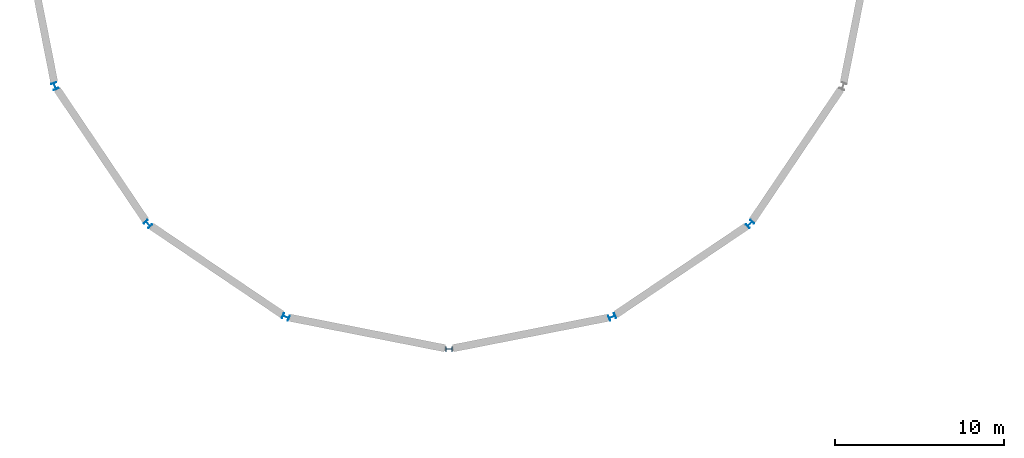
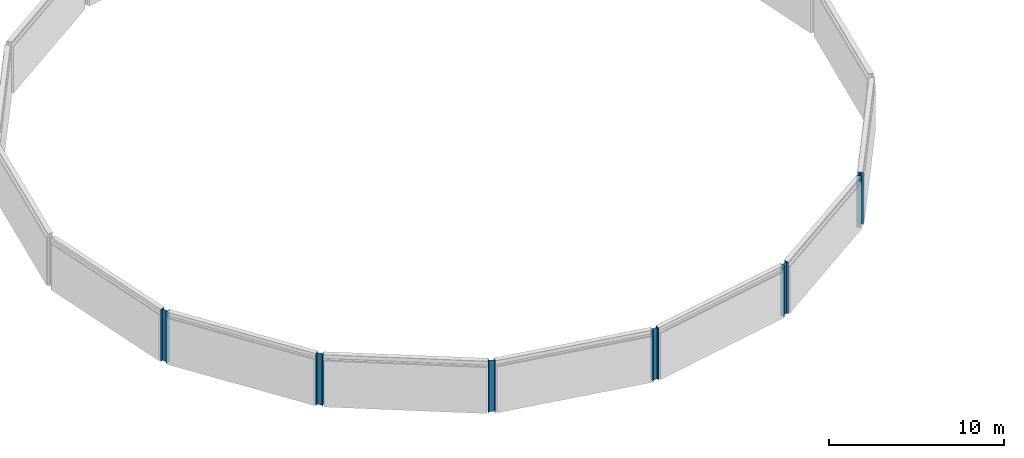
# One storey, part 1 of 120: 6 columns.
"""IFC4 building model written with IfcOpenShell, lengths in metres."""

import ifcopenshell
import ifcopenshell.guid

model = None  # the IFC model being written
_history = None  # IfcOwnerHistory: only IFC2X3 demands one
_inside = {}  # id of a spatial element -> (the spatial element, [elements in it])
_under = {}  # id of a project, library or spatial element -> (it, [spatial elements below it])
_declared = {}  # id of a project -> (the project, [libraries it declares])
_typed = {}  # id of a type object -> (the type object, [elements of that type])
_made_of = {}  # id of a material, layer set ... -> (it, [elements and type objects made of it])


def new_model(schema):
    """Start an empty IFC model of exactly this schema.

    Asked for "IFC4X3", IfcOpenShell would pick the latest addendum, in which some entities
    have other attributes; the version numbers below select the first issue.
    IFC2X3 requires an IfcOwnerHistory on every rooted entity: one is made here for all.
    """
    global model, _history
    if schema == "IFC4X3":
        model = ifcopenshell.file(schema_version=(4, 3, 0, 0))
    else:
        model = ifcopenshell.file(schema=schema)
    _inside.clear()
    _under.clear()
    _declared.clear()
    _typed.clear()
    _made_of.clear()
    _history = None
    if model.schema == "IFC2X3":
        org = make("IfcOrganization", Name="unknown")
        user = make(
            "IfcPersonAndOrganization",
            ThePerson=make("IfcPerson", FamilyName="unknown"),
            TheOrganization=org,
        )
        app = make(
            "IfcApplication",
            ApplicationDeveloper=org,
            Version="unknown",
            ApplicationFullName="unknown",
            ApplicationIdentifier="unknown",
        )
        _history = make(
            "IfcOwnerHistory",
            OwningUser=user,
            OwningApplication=app,
            ChangeAction="ADDED",
            CreationDate=0,
        )
    return model


def make(cls, **values):
    """One entity of the class cls with the attributes given. An attribute that is None is left unset."""
    return model.create_entity(
        cls, **{name: value for name, value in values.items() if value is not None}
    )


def rooted(cls, **values):
    """An entity with a GlobalId (a new one), such as an element, a storey or a relation."""
    return make(cls, GlobalId=ifcopenshell.guid.new(), OwnerHistory=_history, **values)


def si_unit(unit_type, name, prefix=None):
    """IfcSIUnit, for example si_unit("LENGTHUNIT", "METRE", prefix="MILLI")."""
    return make("IfcSIUnit", UnitType=unit_type, Prefix=prefix, Name=name)


def assignment(units):
    """IfcUnitAssignment: the units of a project."""
    return None if units is None else make("IfcUnitAssignment", Units=units)


def point(xyz):
    """IfcCartesianPoint."""
    return None if xyz is None else make("IfcCartesianPoint", Coordinates=xyz)


def direction(xyz):
    """IfcDirection."""
    return None if xyz is None else make("IfcDirection", DirectionRatios=xyz)


def frame(location, z_axis=None, x_axis=None):
    """IfcAxis2Placement3D, a coordinate frame: its origin and axes. An axis left out is left unset."""
    return make(
        "IfcAxis2Placement3D",
        Location=point(location),
        Axis=direction(z_axis),
        RefDirection=direction(x_axis),
    )


def frame_2d(location, x_axis=None):
    """IfcAxis2Placement2D, a coordinate frame in the plane: its origin and x axis."""
    return make(
        "IfcAxis2Placement2D", Location=point(location), RefDirection=direction(x_axis)
    )


def origin():
    """The frame at (0, 0, 0) with its axes left unset."""
    return frame((0.0, 0.0, 0.0))


def origin_2d():
    """The frame at (0, 0) in the plane with its x axis left unset."""
    return frame_2d((0.0, 0.0))


def place(relative_to, where):
    """IfcLocalPlacement: puts the frame where relative to a parent placement (None: the world)."""
    return make(
        "IfcLocalPlacement", PlacementRelTo=relative_to, RelativePlacement=where
    )


def context(
    kind, dimensions, precision=None, world=None, true_north=None, identifier=None
):
    """IfcGeometricRepresentationContext, for example the 3D "Model" context."""
    return make(
        "IfcGeometricRepresentationContext",
        ContextIdentifier=identifier,
        ContextType=kind,
        CoordinateSpaceDimension=dimensions,
        Precision=precision,
        WorldCoordinateSystem=world,
        TrueNorth=true_north,
    )


def subcontext(parent, identifier, kind, view, scale=None):
    """IfcGeometricRepresentationSubContext, for example "Body" below "Model"."""
    return make(
        "IfcGeometricRepresentationSubContext",
        ContextIdentifier=identifier,
        ContextType=kind,
        ParentContext=parent,
        TargetScale=scale,
        TargetView=view,
    )


def project(units=None, contexts=None):
    """IfcProject with its units and contexts."""
    return rooted(
        "IfcProject",
        Name="project",
        RepresentationContexts=contexts,
        UnitsInContext=assignment(units),
    )


def spatial(cls, under=None, at=None, **own):
    """A site, building, storey or space (cls), placed at a placement, below another one or the project."""
    s = rooted(cls, ObjectPlacement=at, **own)
    if under is not None:
        _under.setdefault(under.id(), (under, []))[1].append(s)
    return s


def profile(cls, at=None, kind="AREA", **sizes):
    """A parametric profile (cls). Its sizes go by their IFC names, for example OverallWidth=200.0."""
    return make(cls, ProfileType=kind, Position=at, **sizes)


def i_section(**sizes):
    """IfcIShapeProfileDef."""
    return profile("IfcIShapeProfileDef", **sizes)


def extrude(swept, where, along, depth):
    """IfcExtrudedAreaSolid: the profile swept, set in the frame where, extruded along a direction by depth."""
    return make(
        "IfcExtrudedAreaSolid",
        SweptArea=swept,
        Position=where,
        ExtrudedDirection=direction(along),
        Depth=depth,
    )


def shape(context_of_items, identifier, shape_type, items):
    """IfcShapeRepresentation: the items that make up one representation, for example the "Body"."""
    return make(
        "IfcShapeRepresentation",
        ContextOfItems=context_of_items,
        RepresentationIdentifier=identifier,
        RepresentationType=shape_type,
        Items=items,
    )


def material(Name=None, Category=None):
    """IfcMaterial."""
    return make("IfcMaterial", Name=Name, Category=Category)


def material_profile(
    of_material, cross_section, Name=None, Category=None, Priority=None
):
    """IfcMaterialProfile: a cross section and its material."""
    return make(
        "IfcMaterialProfile",
        Name=Name,
        Material=of_material,
        Profile=cross_section,
        Priority=Priority,
        Category=Category,
    )


def profile_set(profiles, Name=None, composite=None):
    """IfcMaterialProfileSet."""
    return make(
        "IfcMaterialProfileSet",
        Name=Name,
        MaterialProfiles=profiles,
        CompositeProfile=composite,
    )


def made_of(thing, what):
    """Note that an element or type object is made of a material, layer set ...; save() writes the relation."""
    if what is not None:
        _made_of.setdefault(what.id(), (what, []))[1].append(thing)
    return thing


def type_object(cls, material=None, **own):
    """A type object (cls), such as IfcWallType, which elements share."""
    return made_of(rooted(cls, **own), material)


def element(
    cls,
    number,
    at=None,
    inside=None,
    cuts=None,
    type_object=None,
    material=None,
    context=None,
    identifier="Body",
    shape_type=None,
    held_by="IfcProductDefinitionShape",
    body=None,
    shapes=None,
    **own,
):
    """One element of the class cls, such as IfcWall. Its Tag is "e" and its number.

    at: its placement. inside: the storey or other place that contains it. cuts: it is an
    opening in that element (IfcRelVoidsElement). A single representation is given by context,
    identifier, shape_type and body (its items); several are given by shapes. held_by: the class
    of the entity that holds the representations. save() writes the other relations.
    """
    e = rooted(cls, Tag="e%d" % number, ObjectPlacement=at, **own)
    if body is not None:
        shapes = [shape(context, identifier, shape_type, body)]
    if shapes is not None:
        e.Representation = make(held_by, Representations=shapes)
    if inside is not None:
        _inside.setdefault(inside.id(), (inside, []))[1].append(e)
    if cuts is not None:
        rooted(
            "IfcRelVoidsElement", RelatingBuildingElement=cuts, RelatedOpeningElement=e
        )
    if type_object is not None:
        _typed.setdefault(type_object.id(), (type_object, []))[1].append(e)
    return made_of(e, material)


def aggregate(whole, parts):
    """IfcRelAggregates: a whole, such as a stair, and the parts it consists of."""
    return rooted("IfcRelAggregates", RelatingObject=whole, RelatedObjects=parts)


def save(model, path):
    """Write the relations noted so far, then the file.

    IfcRelAggregates (storeys below a building ...), IfcRelContainedInSpatialStructure (elements
    in a storey), IfcRelDefinesByType, IfcRelAssociatesMaterial and IfcRelDeclares: one each for
    every whole, place, type object, material and project.
    """
    for whole, parts in _under.values():
        aggregate(whole, parts)
    for where, things in _inside.values():
        rooted(
            "IfcRelContainedInSpatialStructure",
            RelatedElements=things,
            RelatingStructure=where,
        )
    for kind, things in _typed.values():
        rooted("IfcRelDefinesByType", RelatedObjects=things, RelatingType=kind)
    for what, things in _made_of.values():
        rooted("IfcRelAssociatesMaterial", RelatedObjects=things, RelatingMaterial=what)
    for by, libraries in _declared.values():
        rooted("IfcRelDeclares", RelatingContext=by, RelatedDefinitions=libraries)
    model.write(path)


model = new_model("IFC4")

# Units and contexts
model_context = context("Model", 3, precision=1e-05, world=origin(), true_north=direction((0.0, 1.0)))
body_context = subcontext(model_context, "Body", "Model", "MODEL_VIEW")
ifc_project = project(units=[si_unit("LENGTHUNIT", "METRE"), si_unit("AREAUNIT", "SQUARE_METRE"), si_unit("VOLUMEUNIT", "CUBIC_METRE"), si_unit("PLANEANGLEUNIT", "RADIAN"), si_unit("MASSUNIT", "GRAM", prefix="KILO")], contexts=[model_context])

# Site, building, storey
site_placement = place(None, origin())
site = spatial("IfcSite", under=ifc_project, at=site_placement, CompositionType="ELEMENT")
building_placement = place(site_placement, origin())
building = spatial("IfcBuilding", under=site, at=building_placement, Name="Kupolbacken Congress Centre", CompositionType="ELEMENT")
storey_placement = place(building_placement, frame((0.0, 0.0, 21.60009765625)))
storey = spatial("IfcBuildingStorey", under=building, at=storey_placement, Name="L06", CompositionType="ELEMENT", Elevation=21.60009765625)

# Columns
ifc_material = material(Name="Steel S355", Category="steel")
ifc_material_profile = material_profile(ifc_material, i_section(OverallWidth=0.300048828125, OverallDepth=0.39990234375, WebThickness=0.013427734375, FlangeThickness=0.02392578125, FilletRadius=0.027099609375, at=origin_2d()), Name="HEB 400")
ifc_profile_set = profile_set([ifc_material_profile], Name="Steel S355")
column_type = type_object("IfcColumnType", Name="C08 column HEB 400", PredefinedType="COLUMN", material=ifc_profile_set)
for number, where, z_axis, x_axis, name in (
    (1, (19.89990234375, 76.75, 0.0), (0.0, 0.0, 1.0), (-0.923896018243, -0.382643629864, 0.0), "S/col/C-D10/L06"),
    (2, (25.39990234375, 68.60009765625, 0.0), (0.0, 0.0, 1.0), (-0.707106781187, -0.707106781187, 0.0), "S/col/C-D11/L06"),
    (3, (33.550048828125, 63.10009765625, 0.0), (0.0, 0.0, 1.0), (-0.382643629864, -0.923896018243, 0.0), "S/col/C-D12/L06"),
    (4, (43.199951171875, 61.199951171875, 0.0), (0.0, 0.0, 1.0), (0.0, -1.0, 0.0), "S/col/C-D13/L06"),
    (5, (52.85009765625, 63.10009765625, 0.0), (0.0, 0.0, 1.0), (0.382643629864, -0.923896018243, 0.0), "S/col/C-D14/L06"),
    (6, (61.0, 68.60009765625, 0.0), (0.0, 0.0, 1.0), (0.707106781187, -0.707106781187, 0.0), "S/col/C-D15/L06"),
):
    element("IfcColumn", number, at=place(storey_placement, frame(where, z_axis=z_axis, x_axis=x_axis)), inside=storey, type_object=column_type, Name=name, PredefinedType="COLUMN", context=body_context, shape_type="SweptSolid", body=[
        extrude(i_section(OverallWidth=0.300048828125, OverallDepth=0.39990234375, WebThickness=0.013427734375, FlangeThickness=0.02392578125, FilletRadius=0.027099609375, at=origin_2d()), origin(), (0.0, 0.0, 1.0), 3.599853515625),
    ])

save(model, "model.ifc")
